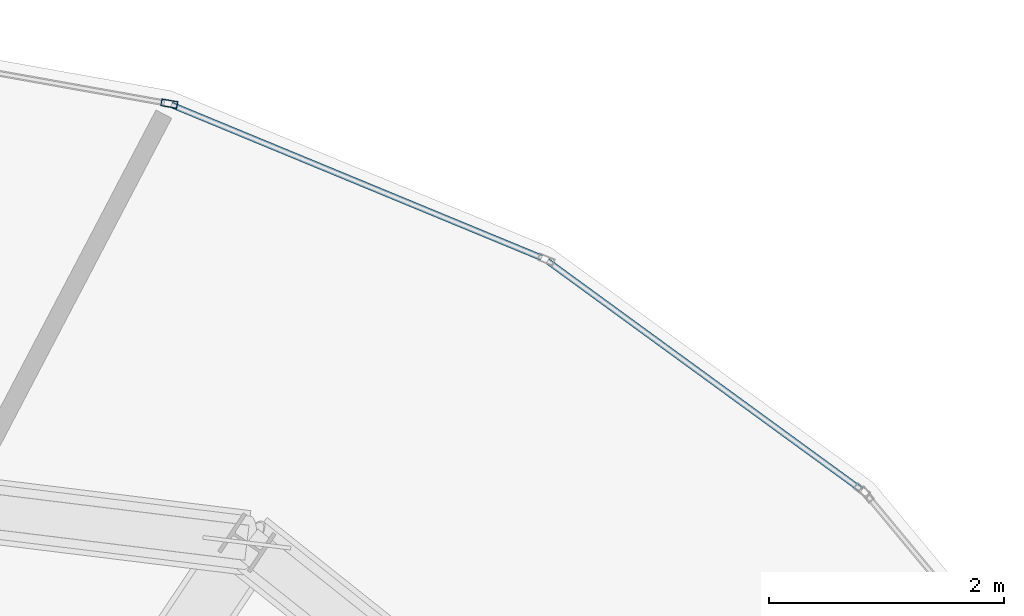
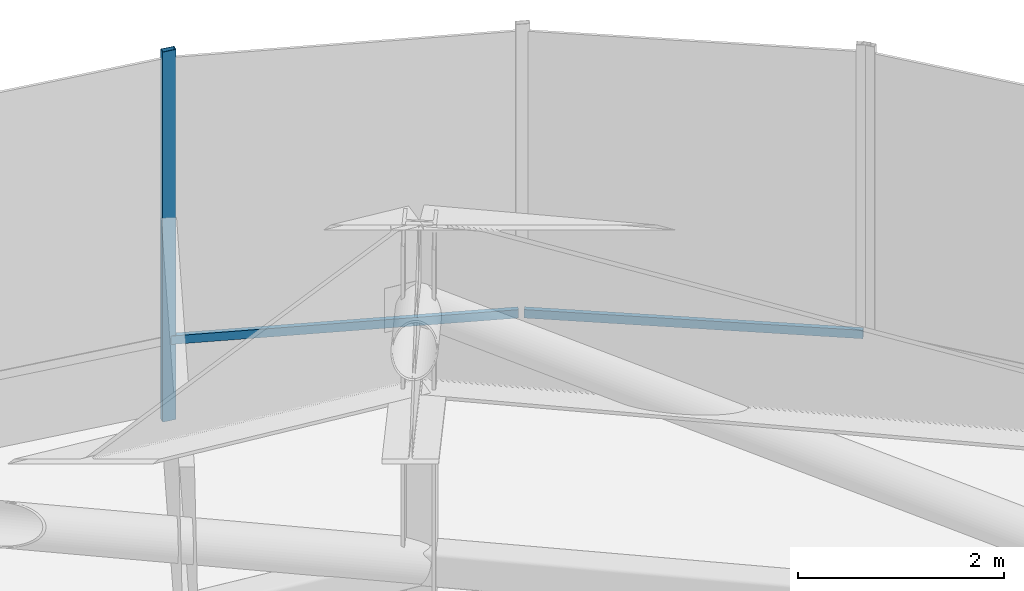
# One storey, part 21 of 26: 3 members, 1 element without a shape of its own.
"""IFC4 building model written with IfcOpenShell, lengths in metres."""

from ifc_helpers import new_model, si_unit, direction, frame, origin, origin_2d, place, context, subcontext, project, spatial, hollow_rectangle, extrude, source, transform, mapped, material, layer, layer_set, material_profile, profile_set, type_object, element, aggregate, save


model = new_model("IFC4")

# Units and contexts
model_context = context("Model", 3, precision=1e-05, world=origin(), true_north=direction((0.0, 1.0)))
body_context = subcontext(model_context, "Body", "Model", "MODEL_VIEW")
ifc_project = project(units=[si_unit("LENGTHUNIT", "METRE"), si_unit("AREAUNIT", "SQUARE_METRE"), si_unit("VOLUMEUNIT", "CUBIC_METRE"), si_unit("PLANEANGLEUNIT", "RADIAN"), si_unit("MASSUNIT", "GRAM", prefix="KILO"), si_unit("THERMODYNAMICTEMPERATUREUNIT", "KELVIN")], contexts=[model_context])

# Site, building, storey
site_placement = place(None, origin())
site = spatial("IfcSite", under=ifc_project, at=site_placement, CompositionType="ELEMENT")
building_placement = place(site_placement, origin())
building = spatial("IfcBuilding", under=site, at=building_placement, Name="Kethvar Cultural Tower", CompositionType="ELEMENT")
storey_placement = place(building_placement, frame((0.0, 0.0, 223.60009765625)))
storey = spatial("IfcBuildingStorey", under=building, at=storey_placement, Name="L58", CompositionType="ELEMENT", Elevation=223.60009765625)

# Curtain wall, members
ifc_material = material(Name="Aluminium 6063-T6", Category="aluminium")
ifc_layer = layer(ifc_material, 0.179931640625, Name="Aluminium 6063-T6", Category="aluminium")
ifc_layer_set = layer_set([ifc_layer], Name="Aluminium 6063-T6 (180 mm)")
curtain_wall_type = type_object("IfcCurtainWallType", Name="CW-SYS-04-Z34", PredefinedType="NOTDEFINED", material=ifc_layer_set)
curtain_wall_placement = place(storey_placement, origin())
curtain_wall = element("IfcCurtainWall", 1, at=curtain_wall_placement, inside=storey, type_object=curtain_wall_type, Name="L58 Curtain Wall Run 01", PredefinedType="NOTDEFINED")
ifc_material_profile_1 = material_profile(ifc_material, hollow_rectangle(XDim=0.06005859375, YDim=0.139892578125, WallThickness=0.0048828125, at=origin_2d()), Name="Aluminium 6063-T6 — RHS140x60x5")
ifc_profile_set_1 = profile_set([ifc_material_profile_1], Name="Aluminium 6063-T6 — RHS140x60x5")
member_type_1 = type_object("IfcMemberType", Name="CW-SYS-04-Z34-MUL", PredefinedType="MULLION", material=ifc_profile_set_1)
shared_shape_1 = source(origin(), body_context, "Body", "SweptSolid", [
    extrude(hollow_rectangle(XDim=0.06005859375, YDim=0.139892578125, WallThickness=0.0048828125, at=origin_2d()), origin(), (0.0, 0.0, 1.0), 4.3798828125),
])
member_1_placement = place(storey_placement, frame((58.088623046875, 49.411865234375, 0.0), z_axis=(0.0, 0.0, 1.0), x_axis=(-0.175676008229, -0.98444803831, 0.0)))
member_1 = element("IfcMember", 2, at=member_1_placement, type_object=member_type_1, Name="CW-L58-R01 Mullion 3", PredefinedType="MULLION", context=body_context, shape_type="MappedRepresentation", body=[
    mapped(shared_shape_1, transform((0.0, 0.0, 0.0), scale=1.0)),
])
ifc_material_profile_2 = material_profile(ifc_material, hollow_rectangle(XDim=0.050048828125, YDim=0.10009765625, WallThickness=0.00390625, at=origin_2d()), Name="Aluminium 6063-T6 — RHS100x50x4")
ifc_profile_set_2 = profile_set([ifc_material_profile_2], Name="Aluminium 6063-T6 — RHS100x50x4")
member_type_2 = type_object("IfcMemberType", Name="CW-SYS-04-Z34-TRN", PredefinedType="USERDEFINED", material=ifc_profile_set_2)
shared_shape_2 = source(origin(), body_context, "Body", "SweptSolid", [
    extrude(hollow_rectangle(XDim=0.050048828125, YDim=0.10009765625, WallThickness=0.00390625, at=origin_2d()), origin(), (0.0, 0.0, 1.0), 3.303466796875),
])
member_2_placement = place(storey_placement, frame((63.97119140625, 46.128173828125, 0.949951171875), z_axis=(-0.808006797236, 0.589173162679, 0.0), x_axis=(-0.589173162679, -0.808006797236, 0.0)))
member_2 = element("IfcMember", 3, at=member_2_placement, type_object=member_type_2, Name="CW-L58-R01 Transom 1", ObjectType="TRANSOM", PredefinedType="USERDEFINED", context=body_context, shape_type="MappedRepresentation", body=[
    mapped(shared_shape_2, transform((0.0, 0.0, 0.0), scale=1.0)),
])
shared_shape_3 = source(origin(), body_context, "Body", "SweptSolid", [
    extrude(hollow_rectangle(XDim=0.050048828125, YDim=0.10009765625, WallThickness=0.00390625, at=origin_2d()), origin(), (0.0, 0.0, 1.0), 3.401611328125),
])
member_3_placement = place(storey_placement, frame((61.25, 48.103515625, 0.949951171875), z_axis=(-0.924265830619, 0.381749491618, 0.0), x_axis=(-0.381749491618, -0.924265830619, 0.0)))
member_3 = element("IfcMember", 4, at=member_3_placement, type_object=member_type_2, Name="CW-L58-R01 Transom 2", ObjectType="TRANSOM", PredefinedType="USERDEFINED", context=body_context, shape_type="MappedRepresentation", body=[
    mapped(shared_shape_3, transform((0.0, 0.0, 0.0), scale=1.0)),
])
aggregate(curtain_wall, [member_1, member_2, member_3])

save(model, "model.ifc")
